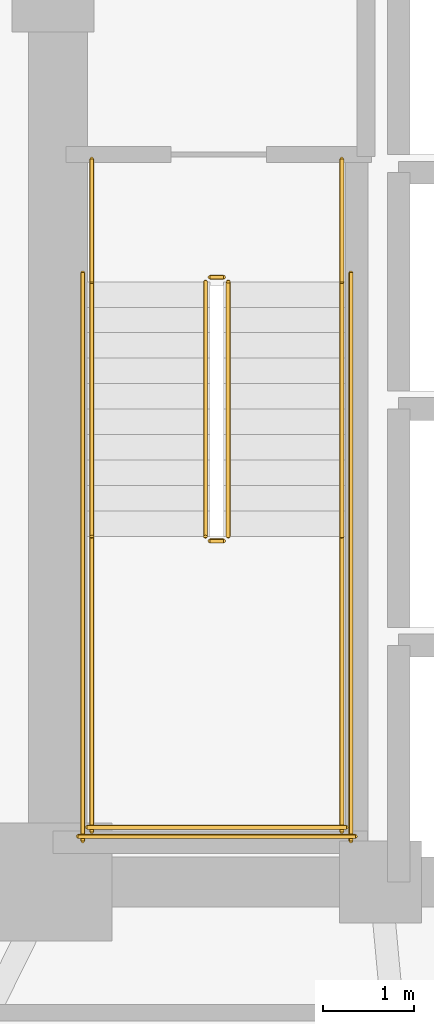
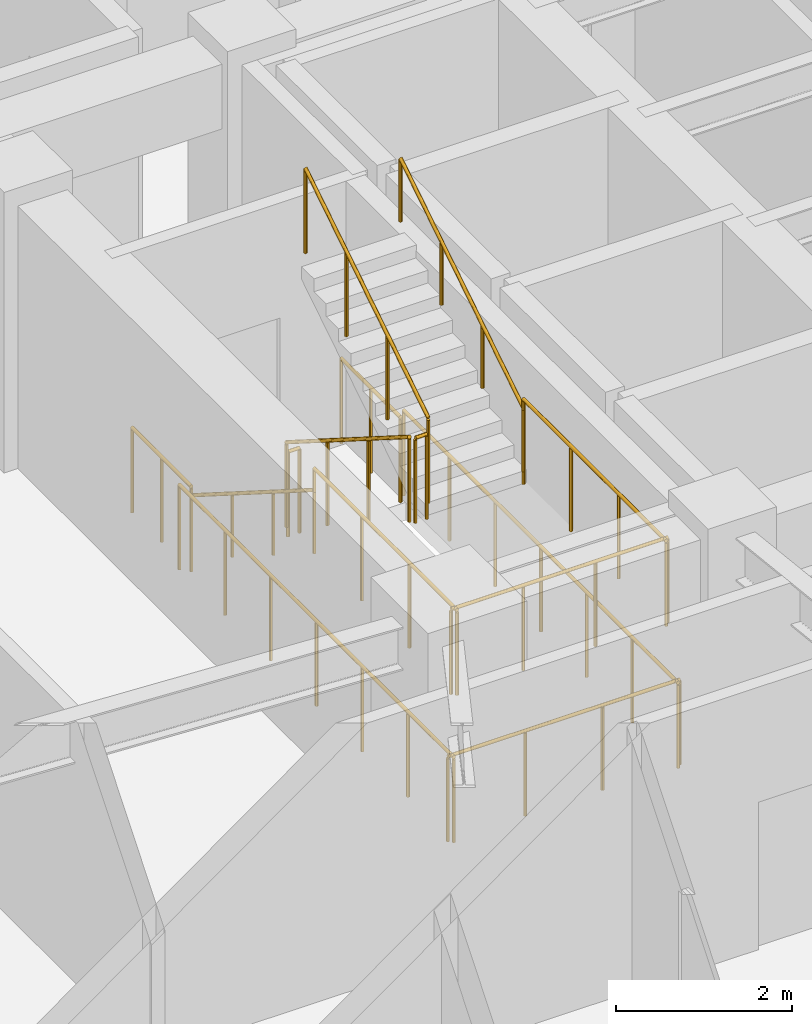
# One storey, part 27 of 28: 14 railings.
"""IFC4 building model written with IfcOpenShell, lengths in metres."""

from ifc_helpers import new_model, si_unit, direction, frame, origin, origin_2d, place, context, subcontext, project, spatial, circle, extrude, material, type_object, element, save


model = new_model("IFC4")

# Units and contexts
model_context = context("Model", 3, precision=1e-05, world=origin(), true_north=direction((0.0, 1.0)))
body_context = subcontext(model_context, "Body", "Model", "MODEL_VIEW")
ifc_project = project(units=[si_unit("LENGTHUNIT", "METRE"), si_unit("AREAUNIT", "SQUARE_METRE"), si_unit("VOLUMEUNIT", "CUBIC_METRE"), si_unit("PLANEANGLEUNIT", "RADIAN"), si_unit("MASSUNIT", "GRAM", prefix="KILO")], contexts=[model_context])

# Site, building, storey
site_placement = place(None, origin())
site = spatial("IfcSite", under=ifc_project, at=site_placement, CompositionType="ELEMENT")
building_placement = place(site_placement, origin())
building = spatial("IfcBuilding", under=site, at=building_placement, Name="Voryun Gate Residences", CompositionType="ELEMENT")
storey_placement = place(building_placement, frame((0.0, 0.0, 117.0)))
storey = spatial("IfcBuildingStorey", under=building, at=storey_placement, Name="L28", CompositionType="ELEMENT", Elevation=117.0)

# Railings
ifc_material_1 = material(Name="Painted steel", Category="steel")
railing_type_1 = type_object("IfcRailingType", Name="RAIL_STAIR_GUARD_1200", PredefinedType="GUARDRAIL", material=ifc_material_1)
railing_1_placement = place(storey_placement, frame((-17.52490234375, -0.800048828125, 0.17724609375)))
element("IfcRailing", 1, at=railing_1_placement, inside=storey, type_object=railing_type_1, Name="L28 ST-W1 stair guard 1", PredefinedType="GUARDRAIL", context=body_context, shape_type="SweptSolid", body=[
    extrude(circle(Radius=0.02392578125, at=origin_2d()), frame((0.0, 0.0, 1.17578125), z_axis=(0.0, -0.844908973607, 0.534910110503), x_axis=(1.0, 0.0, 0.0)), (0.0, 0.0, 1.0), 3.31396484375),
    extrude(circle(Radius=0.02099609375, at=origin_2d()), origin(), (0.0, 0.0, 1.0), 1.15185546875),
    extrude(circle(Radius=0.02099609375, at=origin_2d()), frame((0.0, -0.933349609375, 0.5908203125)), (0.0, 0.0, 1.0), 1.15185546875),
    extrude(circle(Radius=0.02099609375, at=origin_2d()), frame((0.0, -1.86669921875, 1.181884765625)), (0.0, 0.0, 1.0), 1.15185546875),
    extrude(circle(Radius=0.02099609375, at=origin_2d()), frame((0.0, -2.800048828125, 1.772705078125)), (0.0, 0.0, 1.0), 1.15185546875),
])
railing_2_placement = place(storey_placement, frame((-17.47509765625, -3.64990234375, 1.949951171875)))
element("IfcRailing", 2, at=railing_2_placement, inside=storey, type_object=railing_type_1, Name="L28 ST-W1 stair guard 2", PredefinedType="GUARDRAIL", context=body_context, shape_type="SweptSolid", body=[
    extrude(circle(Radius=0.02392578125, at=origin_2d()), frame((0.0, 0.0, 1.17578125), z_axis=(1.0, 0.0, 0.0), x_axis=(0.0, 1.0, 0.0)), (0.0, 0.0, 1.0), 0.150146484375),
    extrude(circle(Radius=0.02099609375, at=origin_2d()), origin(), (0.0, 0.0, 1.0), 1.15185546875),
    extrude(circle(Radius=0.02099609375, at=origin_2d()), frame((0.150146484375, 0.0, 0.0)), (0.0, 0.0, 1.0), 1.15185546875),
])
for number, where, name in (
    (3, (-18.77490234375, -3.60009765625, 1.949951171875), "L28 ST-W1 stair guard 3"),
    (4, (-16.02490234375, -3.60009765625, 1.949951171875), "L28 ST-W1 stair guard 4"),
):
    element("IfcRailing", number, at=place(storey_placement, frame(where)), inside=storey, type_object=railing_type_1, Name=name, PredefinedType="GUARDRAIL", context=body_context, shape_type="SweptSolid", body=[
        extrude(circle(Radius=0.02392578125, at=origin_2d()), frame((0.0, 0.0, 1.17578125), z_axis=(0.0, -1.0, 0.0), x_axis=(1.0, 0.0, 0.0)), (0.0, 0.0, 1.0), 3.25),
        extrude(circle(Radius=0.02099609375, at=origin_2d()), origin(), (0.0, 0.0, 1.0), 1.15185546875),
        extrude(circle(Radius=0.02099609375, at=origin_2d()), frame((0.0, -1.083251953125, 0.0)), (0.0, 0.0, 1.0), 1.15185546875),
        extrude(circle(Radius=0.02099609375, at=origin_2d()), frame((0.0, -2.166748046875, 0.0)), (0.0, 0.0, 1.0), 1.15185546875),
        extrude(circle(Radius=0.02099609375, at=origin_2d()), frame((0.0, -3.25, 0.0)), (0.0, 0.0, 1.0), 1.15185546875),
    ])
railing_3_placement = place(storey_placement, frame((-18.824951171875, -6.800048828125, 1.949951171875)))
element("IfcRailing", 5, at=railing_3_placement, inside=storey, type_object=railing_type_1, Name="L28 ST-W1 stair guard 5", PredefinedType="GUARDRAIL", context=body_context, shape_type="SweptSolid", body=[
    extrude(circle(Radius=0.02392578125, at=origin_2d()), frame((0.0, 0.0, 1.17578125), z_axis=(1.0, 0.0, 0.0), x_axis=(0.0, 1.0, 0.0)), (0.0, 0.0, 1.0), 2.849853515625),
    extrude(circle(Radius=0.02099609375, at=origin_2d()), origin(), (0.0, 0.0, 1.0), 1.15185546875),
    extrude(circle(Radius=0.02099609375, at=origin_2d()), frame((0.949951171875, 0.0, 0.0)), (0.0, 0.0, 1.0), 1.15185546875),
    extrude(circle(Radius=0.02099609375, at=origin_2d()), frame((1.89990234375, 0.0, 0.0)), (0.0, 0.0, 1.0), 1.15185546875),
    extrude(circle(Radius=0.02099609375, at=origin_2d()), frame((2.849853515625, 0.0, 0.0)), (0.0, 0.0, 1.0), 1.15185546875),
])
railing_4_placement = place(storey_placement, frame((-17.27490234375, -3.60009765625, 2.127197265625)))
element("IfcRailing", 6, at=railing_4_placement, inside=storey, type_object=railing_type_1, Name="L28 ST-W1 stair guard 6", PredefinedType="GUARDRAIL", context=body_context, shape_type="SweptSolid", body=[
    extrude(circle(Radius=0.02392578125, at=origin_2d()), frame((0.0, 0.0, 1.17578125), z_axis=(0.0, 0.844908973607, 0.534910110503), x_axis=(-1.0, 0.0, 0.0)), (0.0, 0.0, 1.0), 3.31396484375),
    extrude(circle(Radius=0.02099609375, at=origin_2d()), origin(), (0.0, 0.0, 1.0), 1.15185546875),
    extrude(circle(Radius=0.02099609375, at=origin_2d()), frame((0.0, 0.933349609375, 0.5908203125)), (0.0, 0.0, 1.0), 1.15185546875),
    extrude(circle(Radius=0.02099609375, at=origin_2d()), frame((0.0, 1.86669921875, 1.181884765625)), (0.0, 0.0, 1.0), 1.15185546875),
    extrude(circle(Radius=0.02099609375, at=origin_2d()), frame((0.0, 2.800048828125, 1.772705078125)), (0.0, 0.0, 1.0), 1.15185546875),
])
railing_5_placement = place(storey_placement, frame((-17.47509765625, -0.75, 0.0)))
element("IfcRailing", 7, at=railing_5_placement, inside=storey, type_object=railing_type_1, Name="L28 ST-W1 stair guard 7", PredefinedType="GUARDRAIL", context=body_context, shape_type="SweptSolid", body=[
    extrude(circle(Radius=0.02392578125, at=origin_2d()), frame((0.0, 0.0, 1.17578125), z_axis=(1.0, 0.0, 0.0), x_axis=(0.0, 1.0, 0.0)), (0.0, 0.0, 1.0), 0.150146484375),
    extrude(circle(Radius=0.02099609375, at=origin_2d()), origin(), (0.0, 0.0, 1.0), 1.15185546875),
    extrude(circle(Radius=0.02099609375, at=origin_2d()), frame((0.150146484375, 0.0, 0.0)), (0.0, 0.0, 1.0), 1.15185546875),
])
for number, where, name in (
    (8, (-18.77490234375, 0.550048828125, 0.0), "L28 ST-W1 stair guard 8"),
    (9, (-16.02490234375, 0.550048828125, 0.0), "L28 ST-W1 stair guard 9"),
):
    element("IfcRailing", number, at=place(storey_placement, frame(where)), inside=storey, type_object=railing_type_1, Name=name, PredefinedType="GUARDRAIL", context=body_context, shape_type="SweptSolid", body=[
        extrude(circle(Radius=0.02392578125, at=origin_2d()), frame((0.0, 0.0, 1.17578125), z_axis=(0.0, -1.0, 0.0), x_axis=(1.0, 0.0, 0.0)), (0.0, 0.0, 1.0), 1.35009765625),
        extrude(circle(Radius=0.02099609375, at=origin_2d()), origin(), (0.0, 0.0, 1.0), 1.15185546875),
        extrude(circle(Radius=0.02099609375, at=origin_2d()), frame((0.0, -0.675048828125, 0.0)), (0.0, 0.0, 1.0), 1.15185546875),
        extrude(circle(Radius=0.02099609375, at=origin_2d()), frame((0.0, -1.35009765625, 0.0)), (0.0, 0.0, 1.0), 1.15185546875),
    ])
for number, where, name in (
    (10, (-18.875, -0.699951171875, 0.0), "L28 ST-W1 stair guard 10"),
    (11, (-15.925048828125, -0.699951171875, 0.0), "L28 ST-W1 stair guard 11"),
):
    element("IfcRailing", number, at=place(storey_placement, frame(where)), inside=storey, type_object=railing_type_1, Name=name, PredefinedType="GUARDRAIL", context=body_context, shape_type="SweptSolid", body=[
        extrude(circle(Radius=0.02392578125, at=origin_2d()), frame((0.0, 0.0, 1.17578125), z_axis=(0.0, -1.0, 0.0), x_axis=(1.0, 0.0, 0.0)), (0.0, 0.0, 1.0), 6.25),
        extrude(circle(Radius=0.02099609375, at=origin_2d()), origin(), (0.0, 0.0, 1.0), 1.15185546875),
        extrude(circle(Radius=0.02099609375, at=origin_2d()), frame((0.0, -1.041748046875, 0.0)), (0.0, 0.0, 1.0), 1.15185546875),
        extrude(circle(Radius=0.02099609375, at=origin_2d()), frame((0.0, -2.083251953125, 0.0)), (0.0, 0.0, 1.0), 1.15185546875),
        extrude(circle(Radius=0.02099609375, at=origin_2d()), frame((0.0, -3.125, 0.0)), (0.0, 0.0, 1.0), 1.15185546875),
        extrude(circle(Radius=0.02099609375, at=origin_2d()), frame((0.0, -4.166748046875, 0.0)), (0.0, 0.0, 1.0), 1.15185546875),
        extrude(circle(Radius=0.02099609375, at=origin_2d()), frame((0.0, -5.208251953125, 0.0)), (0.0, 0.0, 1.0), 1.15185546875),
        extrude(circle(Radius=0.02099609375, at=origin_2d()), frame((0.0, -6.25, 0.0)), (0.0, 0.0, 1.0), 1.15185546875),
    ])
railing_6_placement = place(storey_placement, frame((-18.925048828125, -6.89990234375, 0.0)))
element("IfcRailing", 12, at=railing_6_placement, inside=storey, type_object=railing_type_1, Name="L28 ST-W1 stair guard 12", PredefinedType="GUARDRAIL", context=body_context, shape_type="SweptSolid", body=[
    extrude(circle(Radius=0.02392578125, at=origin_2d()), frame((0.0, 0.0, 1.17578125), z_axis=(1.0, 0.0, 0.0), x_axis=(0.0, 1.0, 0.0)), (0.0, 0.0, 1.0), 3.050048828125),
    extrude(circle(Radius=0.02099609375, at=origin_2d()), origin(), (0.0, 0.0, 1.0), 1.15185546875),
    extrude(circle(Radius=0.02099609375, at=origin_2d()), frame((1.0166015625, 0.0, 0.0)), (0.0, 0.0, 1.0), 1.15185546875),
    extrude(circle(Radius=0.02099609375, at=origin_2d()), frame((2.033447265625, 0.0, 0.0)), (0.0, 0.0, 1.0), 1.15185546875),
    extrude(circle(Radius=0.02099609375, at=origin_2d()), frame((3.050048828125, 0.0, 0.0)), (0.0, 0.0, 1.0), 1.15185546875),
])
ifc_material_2 = material(Name="Painted steel", Category="steel")
railing_type_2 = type_object("IfcRailingType", Name="RAIL_STAIR_HANDRAIL_900", PredefinedType="HANDRAIL", material=ifc_material_2)
railing_7_placement = place(storey_placement, frame((-18.77490234375, -0.800048828125, 0.17724609375)))
element("IfcRailing", 13, at=railing_7_placement, inside=storey, type_object=railing_type_2, Name="L28 ST-W1 stair handrail 1", PredefinedType="HANDRAIL", context=body_context, shape_type="SweptSolid", body=[
    extrude(circle(Radius=0.02392578125, at=origin_2d()), frame((0.0, 0.0, 0.8759765625), z_axis=(0.0, -0.844908973607, 0.534910110503), x_axis=(1.0, 0.0, 0.0)), (0.0, 0.0, 1.0), 3.31396484375),
    extrude(circle(Radius=0.02099609375, at=origin_2d()), origin(), (0.0, 0.0, 1.0), 0.851806640625),
    extrude(circle(Radius=0.02099609375, at=origin_2d()), frame((0.0, -0.933349609375, 0.5908203125)), (0.0, 0.0, 1.0), 0.851806640625),
    extrude(circle(Radius=0.02099609375, at=origin_2d()), frame((0.0, -1.86669921875, 1.181884765625)), (0.0, 0.0, 1.0), 0.851806640625),
    extrude(circle(Radius=0.02099609375, at=origin_2d()), frame((0.0, -2.800048828125, 1.772705078125)), (0.0, 0.0, 1.0), 0.851806640625),
])
railing_8_placement = place(storey_placement, frame((-16.02490234375, -3.60009765625, 2.127197265625)))
element("IfcRailing", 14, at=railing_8_placement, inside=storey, type_object=railing_type_2, Name="L28 ST-W1 stair handrail 2", PredefinedType="HANDRAIL", context=body_context, shape_type="SweptSolid", body=[
    extrude(circle(Radius=0.02392578125, at=origin_2d()), frame((0.0, 0.0, 0.8759765625), z_axis=(0.0, 0.844908973607, 0.534910110503), x_axis=(-1.0, 0.0, 0.0)), (0.0, 0.0, 1.0), 3.31396484375),
    extrude(circle(Radius=0.02099609375, at=origin_2d()), origin(), (0.0, 0.0, 1.0), 0.851806640625),
    extrude(circle(Radius=0.02099609375, at=origin_2d()), frame((0.0, 0.933349609375, 0.5908203125)), (0.0, 0.0, 1.0), 0.851806640625),
    extrude(circle(Radius=0.02099609375, at=origin_2d()), frame((0.0, 1.86669921875, 1.181884765625)), (0.0, 0.0, 1.0), 0.851806640625),
    extrude(circle(Radius=0.02099609375, at=origin_2d()), frame((0.0, 2.800048828125, 1.772705078125)), (0.0, 0.0, 1.0), 0.851806640625),
])

save(model, "model.ifc")
